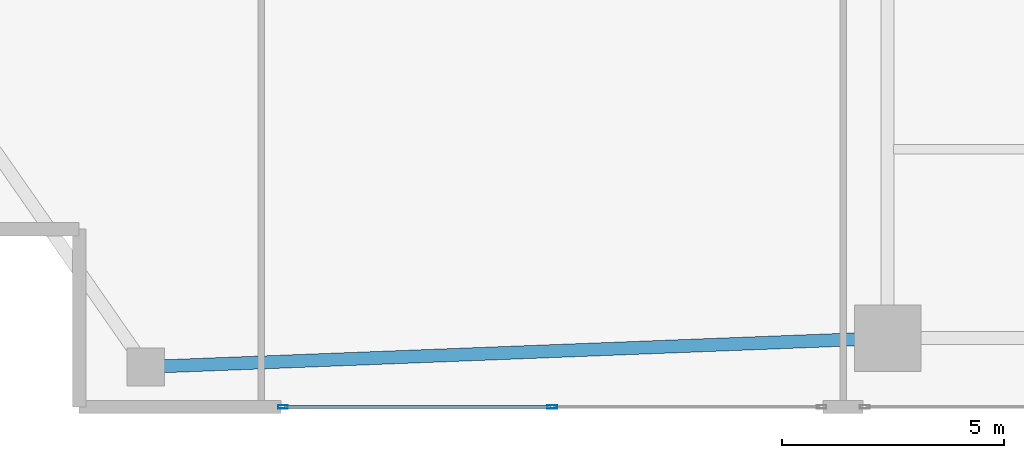
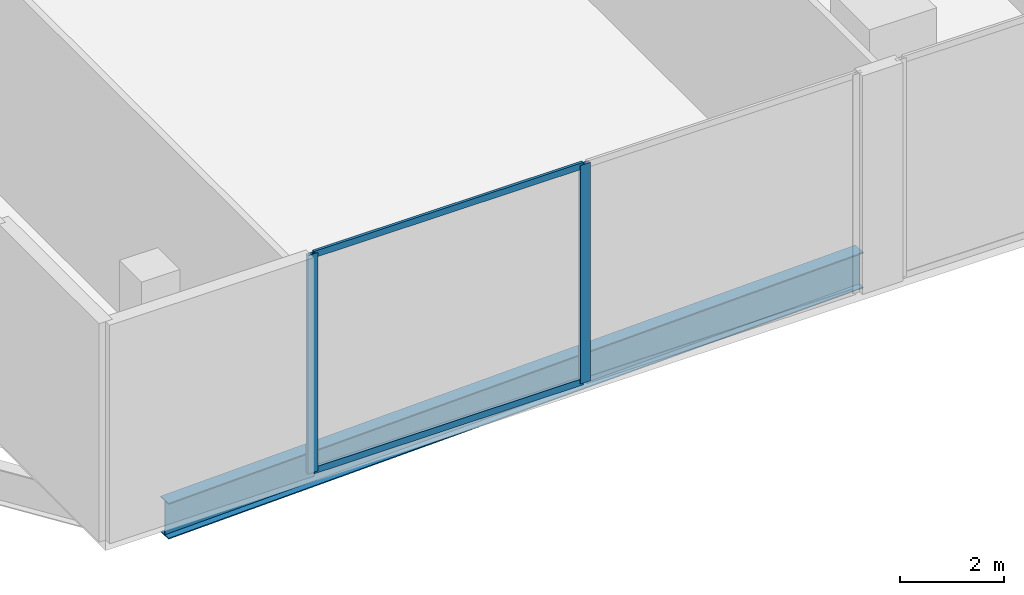
# One storey, part 2 of 30: 4 members, 1 beam, 1 element without a shape of its own.
"""IFC4 building model written with IfcOpenShell, lengths in metres."""

import ifcopenshell
import ifcopenshell.guid

model = None  # the IFC model being written
_history = None  # IfcOwnerHistory: only IFC2X3 demands one
_inside = {}  # id of a spatial element -> (the spatial element, [elements in it])
_under = {}  # id of a project, library or spatial element -> (it, [spatial elements below it])
_declared = {}  # id of a project -> (the project, [libraries it declares])
_typed = {}  # id of a type object -> (the type object, [elements of that type])
_made_of = {}  # id of a material, layer set ... -> (it, [elements and type objects made of it])


def new_model(schema):
    """Start an empty IFC model of exactly this schema.

    Asked for "IFC4X3", IfcOpenShell would pick the latest addendum, in which some entities
    have other attributes; the version numbers below select the first issue.
    IFC2X3 requires an IfcOwnerHistory on every rooted entity: one is made here for all.
    """
    global model, _history
    if schema == "IFC4X3":
        model = ifcopenshell.file(schema_version=(4, 3, 0, 0))
    else:
        model = ifcopenshell.file(schema=schema)
    _inside.clear()
    _under.clear()
    _declared.clear()
    _typed.clear()
    _made_of.clear()
    _history = None
    if model.schema == "IFC2X3":
        org = make("IfcOrganization", Name="unknown")
        user = make(
            "IfcPersonAndOrganization",
            ThePerson=make("IfcPerson", FamilyName="unknown"),
            TheOrganization=org,
        )
        app = make(
            "IfcApplication",
            ApplicationDeveloper=org,
            Version="unknown",
            ApplicationFullName="unknown",
            ApplicationIdentifier="unknown",
        )
        _history = make(
            "IfcOwnerHistory",
            OwningUser=user,
            OwningApplication=app,
            ChangeAction="ADDED",
            CreationDate=0,
        )
    return model


def make(cls, **values):
    """One entity of the class cls with the attributes given. An attribute that is None is left unset."""
    return model.create_entity(
        cls, **{name: value for name, value in values.items() if value is not None}
    )


def rooted(cls, **values):
    """An entity with a GlobalId (a new one), such as an element, a storey or a relation."""
    return make(cls, GlobalId=ifcopenshell.guid.new(), OwnerHistory=_history, **values)


def si_unit(unit_type, name, prefix=None):
    """IfcSIUnit, for example si_unit("LENGTHUNIT", "METRE", prefix="MILLI")."""
    return make("IfcSIUnit", UnitType=unit_type, Prefix=prefix, Name=name)


def assignment(units):
    """IfcUnitAssignment: the units of a project."""
    return None if units is None else make("IfcUnitAssignment", Units=units)


def point(xyz):
    """IfcCartesianPoint."""
    return None if xyz is None else make("IfcCartesianPoint", Coordinates=xyz)


def direction(xyz):
    """IfcDirection."""
    return None if xyz is None else make("IfcDirection", DirectionRatios=xyz)


def frame(location, z_axis=None, x_axis=None):
    """IfcAxis2Placement3D, a coordinate frame: its origin and axes. An axis left out is left unset."""
    return make(
        "IfcAxis2Placement3D",
        Location=point(location),
        Axis=direction(z_axis),
        RefDirection=direction(x_axis),
    )


def frame_2d(location, x_axis=None):
    """IfcAxis2Placement2D, a coordinate frame in the plane: its origin and x axis."""
    return make(
        "IfcAxis2Placement2D", Location=point(location), RefDirection=direction(x_axis)
    )


def origin():
    """The frame at (0, 0, 0) with its axes left unset."""
    return frame((0.0, 0.0, 0.0))


def origin_2d():
    """The frame at (0, 0) in the plane with its x axis left unset."""
    return frame_2d((0.0, 0.0))


def place(relative_to, where):
    """IfcLocalPlacement: puts the frame where relative to a parent placement (None: the world)."""
    return make(
        "IfcLocalPlacement", PlacementRelTo=relative_to, RelativePlacement=where
    )


def context(
    kind, dimensions, precision=None, world=None, true_north=None, identifier=None
):
    """IfcGeometricRepresentationContext, for example the 3D "Model" context."""
    return make(
        "IfcGeometricRepresentationContext",
        ContextIdentifier=identifier,
        ContextType=kind,
        CoordinateSpaceDimension=dimensions,
        Precision=precision,
        WorldCoordinateSystem=world,
        TrueNorth=true_north,
    )


def subcontext(parent, identifier, kind, view, scale=None):
    """IfcGeometricRepresentationSubContext, for example "Body" below "Model"."""
    return make(
        "IfcGeometricRepresentationSubContext",
        ContextIdentifier=identifier,
        ContextType=kind,
        ParentContext=parent,
        TargetScale=scale,
        TargetView=view,
    )


def project(units=None, contexts=None):
    """IfcProject with its units and contexts."""
    return rooted(
        "IfcProject",
        Name="project",
        RepresentationContexts=contexts,
        UnitsInContext=assignment(units),
    )


def spatial(cls, under=None, at=None, **own):
    """A site, building, storey or space (cls), placed at a placement, below another one or the project."""
    s = rooted(cls, ObjectPlacement=at, **own)
    if under is not None:
        _under.setdefault(under.id(), (under, []))[1].append(s)
    return s


def profile(cls, at=None, kind="AREA", **sizes):
    """A parametric profile (cls). Its sizes go by their IFC names, for example OverallWidth=200.0."""
    return make(cls, ProfileType=kind, Position=at, **sizes)


def hollow_rectangle(**sizes):
    """IfcRectangleHollowProfileDef."""
    return profile("IfcRectangleHollowProfileDef", **sizes)


def i_section(**sizes):
    """IfcIShapeProfileDef."""
    return profile("IfcIShapeProfileDef", **sizes)


def extrude(swept, where, along, depth):
    """IfcExtrudedAreaSolid: the profile swept, set in the frame where, extruded along a direction by depth."""
    return make(
        "IfcExtrudedAreaSolid",
        SweptArea=swept,
        Position=where,
        ExtrudedDirection=direction(along),
        Depth=depth,
    )


def shape(context_of_items, identifier, shape_type, items):
    """IfcShapeRepresentation: the items that make up one representation, for example the "Body"."""
    return make(
        "IfcShapeRepresentation",
        ContextOfItems=context_of_items,
        RepresentationIdentifier=identifier,
        RepresentationType=shape_type,
        Items=items,
    )


def material(Name=None, Category=None):
    """IfcMaterial."""
    return make("IfcMaterial", Name=Name, Category=Category)


def layer(
    of_material, thickness, ventilated=None, Name=None, Category=None, Priority=None
):
    """IfcMaterialLayer: one layer of a wall or slab, of a material (None: an air gap)."""
    return make(
        "IfcMaterialLayer",
        Material=of_material,
        LayerThickness=thickness,
        IsVentilated=ventilated,
        Name=Name,
        Category=Category,
        Priority=Priority,
    )


def layer_set(layers, Name=None):
    """IfcMaterialLayerSet."""
    return make("IfcMaterialLayerSet", MaterialLayers=layers, LayerSetName=Name)


def material_profile(
    of_material, cross_section, Name=None, Category=None, Priority=None
):
    """IfcMaterialProfile: a cross section and its material."""
    return make(
        "IfcMaterialProfile",
        Name=Name,
        Material=of_material,
        Profile=cross_section,
        Priority=Priority,
        Category=Category,
    )


def profile_set(profiles, Name=None, composite=None):
    """IfcMaterialProfileSet."""
    return make(
        "IfcMaterialProfileSet",
        Name=Name,
        MaterialProfiles=profiles,
        CompositeProfile=composite,
    )


def made_of(thing, what):
    """Note that an element or type object is made of a material, layer set ...; save() writes the relation."""
    if what is not None:
        _made_of.setdefault(what.id(), (what, []))[1].append(thing)
    return thing


def type_object(cls, material=None, **own):
    """A type object (cls), such as IfcWallType, which elements share."""
    return made_of(rooted(cls, **own), material)


def element(
    cls,
    number,
    at=None,
    inside=None,
    cuts=None,
    type_object=None,
    material=None,
    context=None,
    identifier="Body",
    shape_type=None,
    held_by="IfcProductDefinitionShape",
    body=None,
    shapes=None,
    **own,
):
    """One element of the class cls, such as IfcWall. Its Tag is "e" and its number.

    at: its placement. inside: the storey or other place that contains it. cuts: it is an
    opening in that element (IfcRelVoidsElement). A single representation is given by context,
    identifier, shape_type and body (its items); several are given by shapes. held_by: the class
    of the entity that holds the representations. save() writes the other relations.
    """
    e = rooted(cls, Tag="e%d" % number, ObjectPlacement=at, **own)
    if body is not None:
        shapes = [shape(context, identifier, shape_type, body)]
    if shapes is not None:
        e.Representation = make(held_by, Representations=shapes)
    if inside is not None:
        _inside.setdefault(inside.id(), (inside, []))[1].append(e)
    if cuts is not None:
        rooted(
            "IfcRelVoidsElement", RelatingBuildingElement=cuts, RelatedOpeningElement=e
        )
    if type_object is not None:
        _typed.setdefault(type_object.id(), (type_object, []))[1].append(e)
    return made_of(e, material)


def aggregate(whole, parts):
    """IfcRelAggregates: a whole, such as a stair, and the parts it consists of."""
    return rooted("IfcRelAggregates", RelatingObject=whole, RelatedObjects=parts)


def save(model, path):
    """Write the relations noted so far, then the file.

    IfcRelAggregates (storeys below a building ...), IfcRelContainedInSpatialStructure (elements
    in a storey), IfcRelDefinesByType, IfcRelAssociatesMaterial and IfcRelDeclares: one each for
    every whole, place, type object, material and project.
    """
    for whole, parts in _under.values():
        aggregate(whole, parts)
    for where, things in _inside.values():
        rooted(
            "IfcRelContainedInSpatialStructure",
            RelatedElements=things,
            RelatingStructure=where,
        )
    for kind, things in _typed.values():
        rooted("IfcRelDefinesByType", RelatedObjects=things, RelatingType=kind)
    for what, things in _made_of.values():
        rooted("IfcRelAssociatesMaterial", RelatedObjects=things, RelatingMaterial=what)
    for by, libraries in _declared.values():
        rooted("IfcRelDeclares", RelatingContext=by, RelatedDefinitions=libraries)
    model.write(path)


model = new_model("IFC4")

# Units and contexts
model_context = context("Model", 3, precision=1e-05, world=origin(), true_north=direction((0.0, 1.0)))
body_context = subcontext(model_context, "Body", "Model", "MODEL_VIEW")
ifc_project = project(units=[si_unit("LENGTHUNIT", "METRE"), si_unit("AREAUNIT", "SQUARE_METRE"), si_unit("VOLUMEUNIT", "CUBIC_METRE"), si_unit("PLANEANGLEUNIT", "RADIAN"), si_unit("MASSUNIT", "GRAM", prefix="KILO")], contexts=[model_context])

# Site, building, storey
site_placement = place(None, origin())
site = spatial("IfcSite", under=ifc_project, at=site_placement, CompositionType="ELEMENT")
building_placement = place(site_placement, origin())
building = spatial("IfcBuilding", under=site, at=building_placement, Name="Zuhayl Quay Hotel", CompositionType="ELEMENT")
storey_placement = place(building_placement, frame((0.0, 0.0, 6.0)))
storey = spatial("IfcBuildingStorey", under=building, at=storey_placement, Name="L01", CompositionType="ELEMENT", Elevation=6.0)

# Beam
ifc_material_1 = material(Name="Steel ASTM A992 Grade 50", Category="steel")
ifc_material_profile_1 = material_profile(ifc_material_1, i_section(OverallWidth=0.2919921875, OverallDepth=0.845947265625, WebThickness=0.015380859375, FlangeThickness=0.0244140625, at=origin_2d()), Name="W33X141")
ifc_profile_set_1 = profile_set([ifc_material_profile_1], Name="Steel ASTM A992 Grade 50")
beam_type = type_object("IfcBeamType", Name="BM_PG3_W33X141", PredefinedType="BEAM", material=ifc_profile_set_1)
beam_placement = place(storey_placement, frame((-30.160400390625, -23.0869140625, -0.673095703125), z_axis=(0.999243175194, 0.038898288239, 0.0), x_axis=(-0.038898288239, 0.999243175194, 0.0)))
element("IfcBeam", 1, at=beam_placement, inside=storey, type_object=beam_type, Name="L01 Floor Beam PG_S_L01_0", PredefinedType="BEAM", context=body_context, shape_type="SweptSolid", body=[
    extrude(i_section(OverallWidth=0.2919921875, OverallDepth=0.845947265625, WebThickness=0.015380859375, FlangeThickness=0.0244140625, at=origin_2d()), origin(), (0.0, 0.0, 1.0), 15.82275390625),
])

# Curtain wall, members
ifc_material_2 = material(Name="Anodised Aluminium 6063-T6", Category="aluminium")
ifc_layer = layer(ifc_material_2, 0.199951171875, Name="Anodised Aluminium 6063-T6", Category="aluminium")
ifc_layer_set = layer_set([ifc_layer], Name="Anodised Aluminium 6063-T6")
curtain_wall_type = type_object("IfcCurtainWallType", Name="CW_SYS_POD", PredefinedType="USERDEFINED", material=ifc_layer_set)
curtain_wall_placement = place(storey_placement, origin())
curtain_wall = element("IfcCurtainWall", 2, at=curtain_wall_placement, inside=storey, type_object=curtain_wall_type, Name="L01 Curtain Wall ENV_L01_E11_CW3", ObjectType="UNITISED CURTAIN WALL", PredefinedType="USERDEFINED")
ifc_material_3 = material(Name="Black-anodised aluminium 6063-T6", Category="aluminium")
ifc_material_profile_2 = material_profile(ifc_material_3, hollow_rectangle(XDim=0.074951171875, YDim=0.219970703125, WallThickness=0.00390625, at=origin_2d()), Name="ALU220X75")
ifc_profile_set_2 = profile_set([ifc_material_profile_2], Name="Black-anodised aluminium 6063-T6")
member_type_1 = type_object("IfcMemberType", Name="MB_CW_MUL_220", PredefinedType="MULLION", material=ifc_profile_set_2)
member_1_placement = place(storey_placement, frame((-21.35009765625, -24.0, 0.0), z_axis=(0.0, 0.0, 1.0), x_axis=(0.0, -1.0, 0.0)))
member_1 = element("IfcMember", 3, at=member_1_placement, type_object=member_type_1, Name="CW-POD mullion 2", PredefinedType="MULLION", context=body_context, shape_type="SweptSolid", body=[
    extrude(hollow_rectangle(XDim=0.074951171875, YDim=0.219970703125, WallThickness=0.00390625, at=origin_2d()), origin(), (0.0, 0.0, 1.0), 5.139892578125),
])
member_2_placement = place(storey_placement, frame((-27.41259765625, -24.0, 0.0), z_axis=(0.0, 0.0, 1.0), x_axis=(0.0, -1.0, 0.0)))
member_2 = element("IfcMember", 4, at=member_2_placement, type_object=member_type_1, Name="CW-POD mullion 3", PredefinedType="MULLION", context=body_context, shape_type="SweptSolid", body=[
    extrude(hollow_rectangle(XDim=0.074951171875, YDim=0.219970703125, WallThickness=0.00390625, at=origin_2d()), origin(), (0.0, 0.0, 1.0), 5.139892578125),
])
ifc_material_profile_3 = material_profile(ifc_material_3, hollow_rectangle(XDim=0.06005859375, YDim=0.14990234375, WallThickness=0.00341796875, at=origin_2d()), Name="ALU150X60")
ifc_profile_set_3 = profile_set([ifc_material_profile_3], Name="Black-anodised aluminium 6063-T6")
member_type_2 = type_object("IfcMemberType", Name="MB_CW_TRN_150", PredefinedType="USERDEFINED", material=ifc_profile_set_3)
member_3_placement = place(storey_placement, frame((-21.387451171875, -24.0, 0.030029296875), z_axis=(-1.0, 0.0, 0.0), x_axis=(0.0, -1.0, 0.0)))
member_3 = element("IfcMember", 5, at=member_3_placement, type_object=member_type_2, Name="CW-POD transom 2.1", ObjectType="TRANSOM", PredefinedType="USERDEFINED", context=body_context, shape_type="SweptSolid", body=[
    extrude(hollow_rectangle(XDim=0.06005859375, YDim=0.14990234375, WallThickness=0.00341796875, at=origin_2d()), origin(), (0.0, 0.0, 1.0), 5.987548828125),
])
member_4_placement = place(storey_placement, frame((-21.387451171875, -24.0, 5.110107421875), z_axis=(-1.0, 0.0, 0.0), x_axis=(0.0, -1.0, 0.0)))
member_4 = element("IfcMember", 6, at=member_4_placement, type_object=member_type_2, Name="CW-POD transom 2.2", ObjectType="TRANSOM", PredefinedType="USERDEFINED", context=body_context, shape_type="SweptSolid", body=[
    extrude(hollow_rectangle(XDim=0.06005859375, YDim=0.14990234375, WallThickness=0.00341796875, at=origin_2d()), origin(), (0.0, 0.0, 1.0), 5.987548828125),
])
aggregate(curtain_wall, [member_1, member_2, member_3, member_4])

save(model, "model.ifc")
